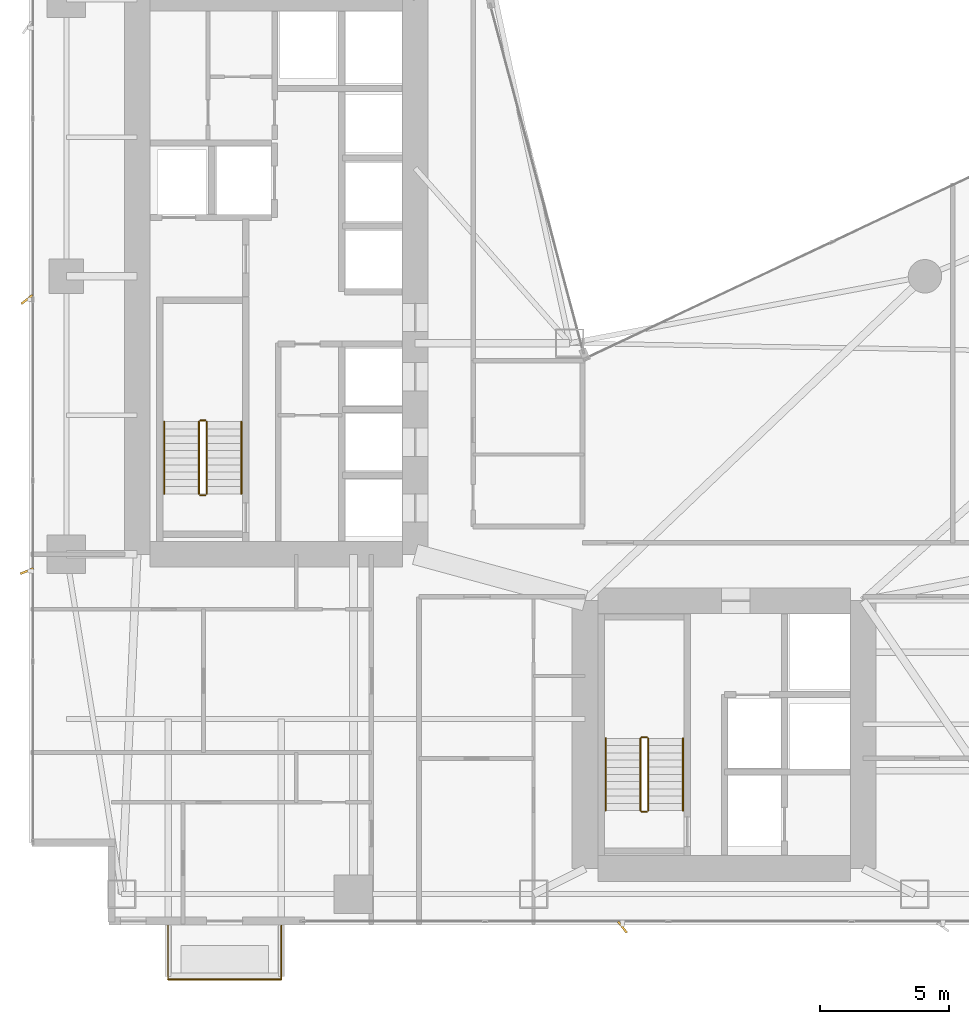
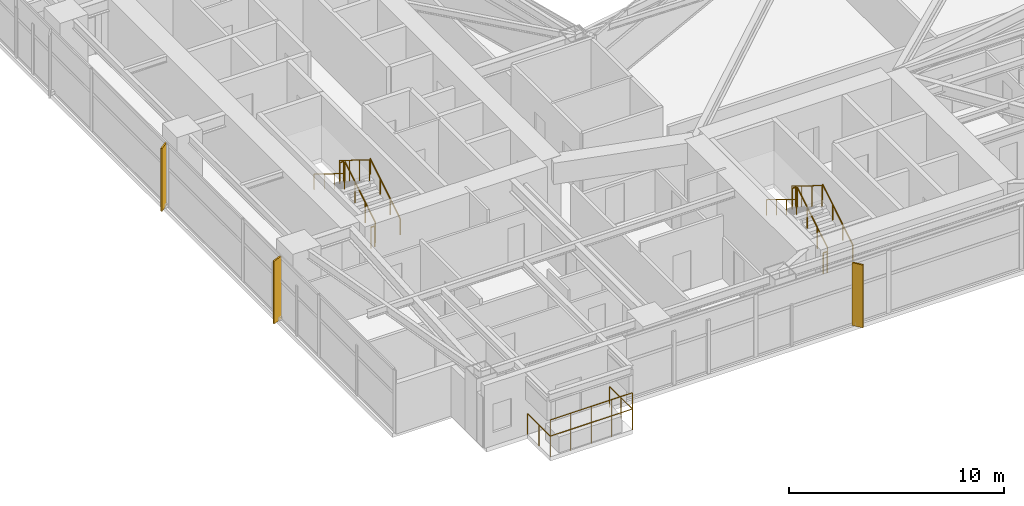
# One storey, part 28 of 30: 14 railings, 3 shading devices.
"""IFC4 building model written with IfcOpenShell, lengths in metres."""

from ifc_helpers import new_model, si_unit, direction, frame, origin, origin_2d, place, context, subcontext, project, spatial, rectangle, circle, extrude, material, type_object, element, save


model = new_model("IFC4")

# Units and contexts
model_context = context("Model", 3, precision=1e-05, world=origin(), true_north=direction((0.0, 1.0)))
body_context = subcontext(model_context, "Body", "Model", "MODEL_VIEW")
ifc_project = project(units=[si_unit("LENGTHUNIT", "METRE"), si_unit("AREAUNIT", "SQUARE_METRE"), si_unit("VOLUMEUNIT", "CUBIC_METRE"), si_unit("PLANEANGLEUNIT", "RADIAN"), si_unit("MASSUNIT", "GRAM", prefix="KILO")], contexts=[model_context])

# Site, building, storey
site_placement = place(None, origin())
site = spatial("IfcSite", under=ifc_project, at=site_placement, CompositionType="ELEMENT")
building_placement = place(site_placement, origin())
building = spatial("IfcBuilding", under=site, at=building_placement, Name="Calvorn Quay Hotel", CompositionType="ELEMENT")
storey_placement = place(building_placement, frame((0.0, 0.0, 27.0)))
storey = spatial("IfcBuildingStorey", under=building, at=storey_placement, Name="L05", CompositionType="ELEMENT", Elevation=27.0)

# Railings
ifc_material_1 = material(Name="Pale Anodised Aluminium and Laminated Glass", Category="aluminium")
railing_type_1 = type_object("IfcRailingType", Name="RLG-BALUSTRADE-1200", PredefinedType="BALUSTRADE", material=ifc_material_1)
railing_1_placement = place(storey_placement, frame((5.39990234375, 2.389892578125, 0.0)))
element("IfcRailing", 1, at=railing_1_placement, inside=storey, type_object=railing_type_1, Name="Tree Balcony Perimeter Balustrade L05-BALC-S", PredefinedType="BALUSTRADE", context=body_context, shape_type="SweptSolid", body=[
    extrude(circle(Radius=0.02392578125, at=origin_2d()), frame((0.0, 0.0, 1.17578125), z_axis=(0.0, -1.0, 0.0), x_axis=(1.0, 0.0, 0.0)), (0.0, 0.0, 1.0), 2.099853515625),
    extrude(circle(Radius=0.02392578125, at=origin_2d()), frame((0.0, -2.099853515625, 1.17578125), z_axis=(1.0, 0.0, 0.0), x_axis=(0.0, 1.0, 0.0)), (0.0, 0.0, 1.0), 4.400146484375),
    extrude(circle(Radius=0.02392578125, at=origin_2d()), frame((4.400146484375, -2.099853515625, 1.17578125), z_axis=(0.0, 1.0, 0.0), x_axis=(-1.0, 0.0, 0.0)), (0.0, 0.0, 1.0), 2.099853515625),
    extrude(circle(Radius=0.02099609375, at=origin_2d()), origin(), (0.0, 0.0, 1.0), 1.15185546875),
    extrude(circle(Radius=0.02099609375, at=origin_2d()), frame((0.0, -1.0498046875, 0.0)), (0.0, 0.0, 1.0), 1.15185546875),
    extrude(circle(Radius=0.02099609375, at=origin_2d()), frame((0.0, -2.099853515625, 0.0)), (0.0, 0.0, 1.0), 1.15185546875),
    extrude(circle(Radius=0.02099609375, at=origin_2d()), frame((1.10009765625, -2.099853515625, 0.0)), (0.0, 0.0, 1.0), 1.15185546875),
    extrude(circle(Radius=0.02099609375, at=origin_2d()), frame((2.2001953125, -2.099853515625, 0.0)), (0.0, 0.0, 1.0), 1.15185546875),
    extrude(circle(Radius=0.02099609375, at=origin_2d()), frame((3.300048828125, -2.099853515625, 0.0)), (0.0, 0.0, 1.0), 1.15185546875),
    extrude(circle(Radius=0.02099609375, at=origin_2d()), frame((4.400146484375, -2.099853515625, 0.0)), (0.0, 0.0, 1.0), 1.15185546875),
    extrude(circle(Radius=0.02099609375, at=origin_2d()), frame((4.400146484375, -1.0498046875, 0.0)), (0.0, 0.0, 1.0), 1.15185546875),
    extrude(circle(Radius=0.02099609375, at=origin_2d()), frame((4.400146484375, 0.0, 0.0)), (0.0, 0.0, 1.0), 1.15185546875),
])
railing_2_placement = place(storey_placement, frame((5.39990234375, 0.2900390625, 0.89990234375)))
element("IfcRailing", 2, at=railing_2_placement, inside=storey, type_object=railing_type_1, Name="Planter Kerb High Safety Screen L05-BALC-S", PredefinedType="BALUSTRADE", context=body_context, shape_type="SweptSolid", body=[
    extrude(circle(Radius=0.02392578125, at=origin_2d()), frame((0.0, 0.0, 1.19580078125), z_axis=(1.0, 0.0, 0.0), x_axis=(0.0, 1.0, 0.0)), (0.0, 0.0, 1.0), 4.400146484375),
    extrude(circle(Radius=0.02099609375, at=origin_2d()), origin(), (0.0, 0.0, 1.0), 1.171875),
    extrude(circle(Radius=0.02099609375, at=origin_2d()), frame((1.10009765625, 0.0, 0.0)), (0.0, 0.0, 1.0), 1.171875),
    extrude(circle(Radius=0.02099609375, at=origin_2d()), frame((2.2001953125, 0.0, 0.0)), (0.0, 0.0, 1.0), 1.171875),
    extrude(circle(Radius=0.02099609375, at=origin_2d()), frame((3.300048828125, 0.0, 0.0)), (0.0, 0.0, 1.0), 1.171875),
    extrude(circle(Radius=0.02099609375, at=origin_2d()), frame((4.400146484375, 0.0, 0.0)), (0.0, 0.0, 1.0), 1.171875),
])
ifc_material_2 = material(Name="Brushed Stainless Steel Handrail", Category="steel")
railing_type_2 = type_object("IfcRailingType", Name="RLG-HANDRAIL-900", PredefinedType="HANDRAIL", material=ifc_material_2)
railing_3_placement = place(storey_placement, frame((8.25, 19.14990234375, 0.172607421875)))
element("IfcRailing", 3, at=railing_3_placement, inside=storey, type_object=railing_type_2, Name="L05 ST-W stair handrail 1", PredefinedType="HANDRAIL", context=body_context, shape_type="SweptSolid", body=[
    extrude(circle(Radius=0.02392578125, at=origin_2d()), frame((0.0, 0.0, 0.8759765625), z_axis=(0.0, 0.851089632645, 0.525020415988), x_axis=(-1.0, 0.0, 0.0)), (0.0, 0.0, 1.0), 3.2900390625),
    extrude(circle(Radius=0.02099609375, at=origin_2d()), origin(), (0.0, 0.0, 1.0), 0.851806640625),
    extrude(circle(Radius=0.02099609375, at=origin_2d()), frame((0.0, 0.933349609375, 0.57568359375)), (0.0, 0.0, 1.0), 0.851806640625),
    extrude(circle(Radius=0.02099609375, at=origin_2d()), frame((0.0, 1.86669921875, 1.151611328125)), (0.0, 0.0, 1.0), 0.851806640625),
    extrude(circle(Radius=0.02099609375, at=origin_2d()), frame((0.0, 2.800048828125, 1.727294921875)), (0.0, 0.0, 1.0), 0.851806640625),
])
railing_4_placement = place(storey_placement, frame((5.25, 21.949951171875, 2.07275390625)))
element("IfcRailing", 4, at=railing_4_placement, inside=storey, type_object=railing_type_2, Name="L05 ST-W stair handrail 2", PredefinedType="HANDRAIL", context=body_context, shape_type="SweptSolid", body=[
    extrude(circle(Radius=0.02392578125, at=origin_2d()), frame((0.0, 0.0, 0.8759765625), z_axis=(0.0, -0.851089632645, 0.525020415988), x_axis=(1.0, 0.0, 0.0)), (0.0, 0.0, 1.0), 3.2900390625),
    extrude(circle(Radius=0.02099609375, at=origin_2d()), origin(), (0.0, 0.0, 1.0), 0.851806640625),
    extrude(circle(Radius=0.02099609375, at=origin_2d()), frame((0.0, -0.933349609375, 0.57568359375)), (0.0, 0.0, 1.0), 0.851806640625),
    extrude(circle(Radius=0.02099609375, at=origin_2d()), frame((0.0, -1.86669921875, 1.151611328125)), (0.0, 0.0, 1.0), 0.851806640625),
    extrude(circle(Radius=0.02099609375, at=origin_2d()), frame((0.0, -2.800048828125, 1.727294921875)), (0.0, 0.0, 1.0), 0.851806640625),
])
railing_5_placement = place(storey_placement, frame((25.39990234375, 6.85009765625, 0.172607421875)))
element("IfcRailing", 5, at=railing_5_placement, inside=storey, type_object=railing_type_2, Name="L05 ST-E stair handrail 1", PredefinedType="HANDRAIL", context=body_context, shape_type="SweptSolid", body=[
    extrude(circle(Radius=0.02392578125, at=origin_2d()), frame((0.0, 0.0, 0.8759765625), z_axis=(0.0, 0.851069175582, 0.525053576669), x_axis=(-1.0, 0.0, 0.0)), (0.0, 0.0, 1.0), 3.289794921875),
    extrude(circle(Radius=0.02099609375, at=origin_2d()), origin(), (0.0, 0.0, 1.0), 0.851806640625),
    extrude(circle(Radius=0.02099609375, at=origin_2d()), frame((0.0, 0.933349609375, 0.57568359375)), (0.0, 0.0, 1.0), 0.851806640625),
    extrude(circle(Radius=0.02099609375, at=origin_2d()), frame((0.0, 1.866455078125, 1.151611328125)), (0.0, 0.0, 1.0), 0.851806640625),
    extrude(circle(Radius=0.02099609375, at=origin_2d()), frame((0.0, 2.7998046875, 1.727294921875)), (0.0, 0.0, 1.0), 0.851806640625),
])
railing_6_placement = place(storey_placement, frame((22.39990234375, 9.64990234375, 2.07275390625)))
element("IfcRailing", 6, at=railing_6_placement, inside=storey, type_object=railing_type_2, Name="L05 ST-E stair handrail 2", PredefinedType="HANDRAIL", context=body_context, shape_type="SweptSolid", body=[
    extrude(circle(Radius=0.02392578125, at=origin_2d()), frame((0.0, 0.0, 0.8759765625), z_axis=(0.0, -0.851069175582, 0.525053576669), x_axis=(1.0, 0.0, 0.0)), (0.0, 0.0, 1.0), 3.289794921875),
    extrude(circle(Radius=0.02099609375, at=origin_2d()), origin(), (0.0, 0.0, 1.0), 0.851806640625),
    extrude(circle(Radius=0.02099609375, at=origin_2d()), frame((0.0, -0.933349609375, 0.57568359375)), (0.0, 0.0, 1.0), 0.851806640625),
    extrude(circle(Radius=0.02099609375, at=origin_2d()), frame((0.0, -1.866455078125, 1.151611328125)), (0.0, 0.0, 1.0), 0.851806640625),
    extrude(circle(Radius=0.02099609375, at=origin_2d()), frame((0.0, -2.7998046875, 1.727294921875)), (0.0, 0.0, 1.0), 0.851806640625),
])
ifc_material_3 = material(Name="Painted Galvanised Steel Balustrade", Category="steel")
railing_type_3 = type_object("IfcRailingType", Name="RLG-STAIR-GUARD-1120", PredefinedType="GUARDRAIL", material=ifc_material_3)
railing_7_placement = place(storey_placement, frame((6.89990234375, 19.14990234375, 0.172607421875)))
element("IfcRailing", 7, at=railing_7_placement, inside=storey, type_object=railing_type_3, Name="L05 ST-W stair guard 1", PredefinedType="GUARDRAIL", context=body_context, shape_type="SweptSolid", body=[
    extrude(circle(Radius=0.02392578125, at=origin_2d()), frame((0.0, 0.0, 1.17578125), z_axis=(0.0, 0.851089632645, 0.525020415988), x_axis=(-1.0, 0.0, 0.0)), (0.0, 0.0, 1.0), 3.2900390625),
    extrude(circle(Radius=0.02099609375, at=origin_2d()), origin(), (0.0, 0.0, 1.0), 1.15185546875),
    extrude(circle(Radius=0.02099609375, at=origin_2d()), frame((0.0, 0.933349609375, 0.57568359375)), (0.0, 0.0, 1.0), 1.15185546875),
    extrude(circle(Radius=0.02099609375, at=origin_2d()), frame((0.0, 1.86669921875, 1.151611328125)), (0.0, 0.0, 1.0), 1.15185546875),
    extrude(circle(Radius=0.02099609375, at=origin_2d()), frame((0.0, 2.800048828125, 1.727294921875)), (0.0, 0.0, 1.0), 1.15185546875),
])
railing_8_placement = place(storey_placement, frame((6.85009765625, 22.0, 1.89990234375)))
element("IfcRailing", 8, at=railing_8_placement, inside=storey, type_object=railing_type_3, Name="L05 ST-W stair guard 2", PredefinedType="GUARDRAIL", context=body_context, shape_type="SweptSolid", body=[
    extrude(circle(Radius=0.02392578125, at=origin_2d()), frame((0.0, 0.0, 1.17578125), z_axis=(-1.0, 0.0, 0.0), x_axis=(0.0, -1.0, 0.0)), (0.0, 0.0, 1.0), 0.2001953125),
    extrude(circle(Radius=0.02099609375, at=origin_2d()), origin(), (0.0, 0.0, 1.0), 1.15185546875),
    extrude(circle(Radius=0.02099609375, at=origin_2d()), frame((-0.2001953125, 0.0, 0.0)), (0.0, 0.0, 1.0), 1.15185546875),
])
railing_9_placement = place(storey_placement, frame((6.60009765625, 21.949951171875, 2.07275390625)))
element("IfcRailing", 9, at=railing_9_placement, inside=storey, type_object=railing_type_3, Name="L05 ST-W stair guard 3", PredefinedType="GUARDRAIL", context=body_context, shape_type="SweptSolid", body=[
    extrude(circle(Radius=0.02392578125, at=origin_2d()), frame((0.0, 0.0, 1.17578125), z_axis=(0.0, -0.851089632645, 0.525020415988), x_axis=(1.0, 0.0, 0.0)), (0.0, 0.0, 1.0), 3.2900390625),
    extrude(circle(Radius=0.02099609375, at=origin_2d()), origin(), (0.0, 0.0, 1.0), 1.15185546875),
    extrude(circle(Radius=0.02099609375, at=origin_2d()), frame((0.0, -0.933349609375, 0.57568359375)), (0.0, 0.0, 1.0), 1.15185546875),
    extrude(circle(Radius=0.02099609375, at=origin_2d()), frame((0.0, -1.86669921875, 1.151611328125)), (0.0, 0.0, 1.0), 1.15185546875),
    extrude(circle(Radius=0.02099609375, at=origin_2d()), frame((0.0, -2.800048828125, 1.727294921875)), (0.0, 0.0, 1.0), 1.15185546875),
])
railing_10_placement = place(storey_placement, frame((6.85009765625, 19.10009765625, 0.0)))
element("IfcRailing", 10, at=railing_10_placement, inside=storey, type_object=railing_type_3, Name="L05 ST-W stair guard 4", PredefinedType="GUARDRAIL", context=body_context, shape_type="SweptSolid", body=[
    extrude(circle(Radius=0.02392578125, at=origin_2d()), frame((0.0, 0.0, 1.17578125), z_axis=(-1.0, 0.0, 0.0), x_axis=(0.0, -1.0, 0.0)), (0.0, 0.0, 1.0), 0.2001953125),
    extrude(circle(Radius=0.02099609375, at=origin_2d()), origin(), (0.0, 0.0, 1.0), 1.15185546875),
    extrude(circle(Radius=0.02099609375, at=origin_2d()), frame((-0.2001953125, 0.0, 0.0)), (0.0, 0.0, 1.0), 1.15185546875),
])
railing_11_placement = place(storey_placement, frame((24.050048828125, 6.85009765625, 0.172607421875)))
element("IfcRailing", 11, at=railing_11_placement, inside=storey, type_object=railing_type_3, Name="L05 ST-E stair guard 1", PredefinedType="GUARDRAIL", context=body_context, shape_type="SweptSolid", body=[
    extrude(circle(Radius=0.02392578125, at=origin_2d()), frame((0.0, 0.0, 1.17578125), z_axis=(0.0, 0.851069175582, 0.525053576669), x_axis=(-1.0, 0.0, 0.0)), (0.0, 0.0, 1.0), 3.289794921875),
    extrude(circle(Radius=0.02099609375, at=origin_2d()), origin(), (0.0, 0.0, 1.0), 1.15185546875),
    extrude(circle(Radius=0.02099609375, at=origin_2d()), frame((0.0, 0.933349609375, 0.57568359375)), (0.0, 0.0, 1.0), 1.15185546875),
    extrude(circle(Radius=0.02099609375, at=origin_2d()), frame((0.0, 1.866455078125, 1.151611328125)), (0.0, 0.0, 1.0), 1.15185546875),
    extrude(circle(Radius=0.02099609375, at=origin_2d()), frame((0.0, 2.7998046875, 1.727294921875)), (0.0, 0.0, 1.0), 1.15185546875),
])
railing_12_placement = place(storey_placement, frame((24.0, 9.699951171875, 1.89990234375)))
element("IfcRailing", 12, at=railing_12_placement, inside=storey, type_object=railing_type_3, Name="L05 ST-E stair guard 2", PredefinedType="GUARDRAIL", context=body_context, shape_type="SweptSolid", body=[
    extrude(circle(Radius=0.02392578125, at=origin_2d()), frame((0.0, 0.0, 1.17578125), z_axis=(-1.0, 0.0, 0.0), x_axis=(0.0, -1.0, 0.0)), (0.0, 0.0, 1.0), 0.199951171875),
    extrude(circle(Radius=0.02099609375, at=origin_2d()), origin(), (0.0, 0.0, 1.0), 1.15185546875),
    extrude(circle(Radius=0.02099609375, at=origin_2d()), frame((-0.199951171875, 0.0, 0.0)), (0.0, 0.0, 1.0), 1.15185546875),
])
railing_13_placement = place(storey_placement, frame((23.75, 9.64990234375, 2.07275390625)))
element("IfcRailing", 13, at=railing_13_placement, inside=storey, type_object=railing_type_3, Name="L05 ST-E stair guard 3", PredefinedType="GUARDRAIL", context=body_context, shape_type="SweptSolid", body=[
    extrude(circle(Radius=0.02392578125, at=origin_2d()), frame((0.0, 0.0, 1.17578125), z_axis=(0.0, -0.851069175582, 0.525053576669), x_axis=(1.0, 0.0, 0.0)), (0.0, 0.0, 1.0), 3.289794921875),
    extrude(circle(Radius=0.02099609375, at=origin_2d()), origin(), (0.0, 0.0, 1.0), 1.15185546875),
    extrude(circle(Radius=0.02099609375, at=origin_2d()), frame((0.0, -0.933349609375, 0.57568359375)), (0.0, 0.0, 1.0), 1.15185546875),
    extrude(circle(Radius=0.02099609375, at=origin_2d()), frame((0.0, -1.866455078125, 1.151611328125)), (0.0, 0.0, 1.0), 1.15185546875),
    extrude(circle(Radius=0.02099609375, at=origin_2d()), frame((0.0, -2.7998046875, 1.727294921875)), (0.0, 0.0, 1.0), 1.15185546875),
])
railing_14_placement = place(storey_placement, frame((24.0, 6.800048828125, 0.0)))
element("IfcRailing", 14, at=railing_14_placement, inside=storey, type_object=railing_type_3, Name="L05 ST-E stair guard 4", PredefinedType="GUARDRAIL", context=body_context, shape_type="SweptSolid", body=[
    extrude(circle(Radius=0.02392578125, at=origin_2d()), frame((0.0, 0.0, 1.17578125), z_axis=(-1.0, 0.0, 0.0), x_axis=(0.0, -1.0, 0.0)), (0.0, 0.0, 1.0), 0.199951171875),
    extrude(circle(Radius=0.02099609375, at=origin_2d()), origin(), (0.0, 0.0, 1.0), 1.15185546875),
    extrude(circle(Radius=0.02099609375, at=origin_2d()), frame((-0.199951171875, 0.0, 0.0)), (0.0, 0.0, 1.0), 1.15185546875),
])

# Shading devices
ifc_material_4 = material(Name="Champagne Bronze Anodised Aluminium 6063-T6", Category="aluminium")
shading_device_type_1 = type_object("IfcShadingDeviceType", Name="SHD-FIN-A1", PredefinedType="USERDEFINED", material=ifc_material_4)
shading_device_placement = place(storey_placement, frame((-0.080078125, 16.14990234375, 0.0), z_axis=(0.0, 0.0, 1.0), x_axis=(0.927183854567, 0.374606593416, 0.0)))
element("IfcShadingDevice", 15, at=shading_device_placement, inside=storey, type_object=shading_device_type_1, Name="Diagonal Sun-Shading Fin L05-W01", ObjectType="FIN", PredefinedType="USERDEFINED", context=body_context, shape_type="SweptSolid", body=[
    extrude(rectangle(XDim=0.550048828125, YDim=0.080078125, at=origin_2d()), origin(), (0.0, 0.0, 1.0), 3.56005859375),
])
ifc_material_5 = material(Name="Champagne Bronze Anodised Aluminium 6063-T6", Category="aluminium")
shading_device_type_2 = type_object("IfcShadingDeviceType", Name="SHD-FIN-A2", PredefinedType="USERDEFINED", material=ifc_material_5)
for number, where, z_axis, x_axis, name in (
    (16, (-0.080078125, 26.699951171875, 0.0), (0.0, 0.0, 1.0), (0.788010753607, 0.615661475326, 0.0), "Diagonal Sun-Shading Fin L05-W02"),
    (17, (23.050048828125, 2.320068359375, 0.0), (0.0, 0.0, 1.0), (-0.615661475326, 0.788010753607, 0.0), "Diagonal Sun-Shading Fin L05-S01"),
):
    element("IfcShadingDevice", number, at=place(storey_placement, frame(where, z_axis=z_axis, x_axis=x_axis)), inside=storey, type_object=shading_device_type_2, Name=name, ObjectType="FIN", PredefinedType="USERDEFINED", context=body_context, shape_type="SweptSolid", body=[
        extrude(rectangle(XDim=0.550048828125, YDim=0.080078125, at=origin_2d()), origin(), (0.0, 0.0, 1.0), 3.56005859375),
    ])

save(model, "model.ifc")
